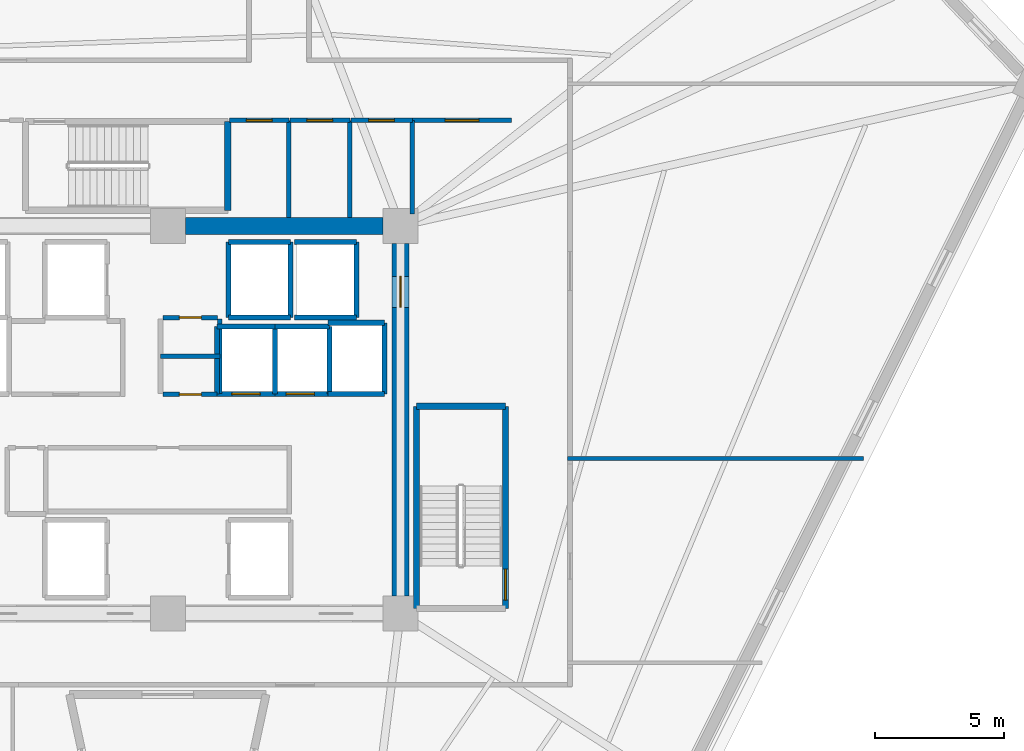
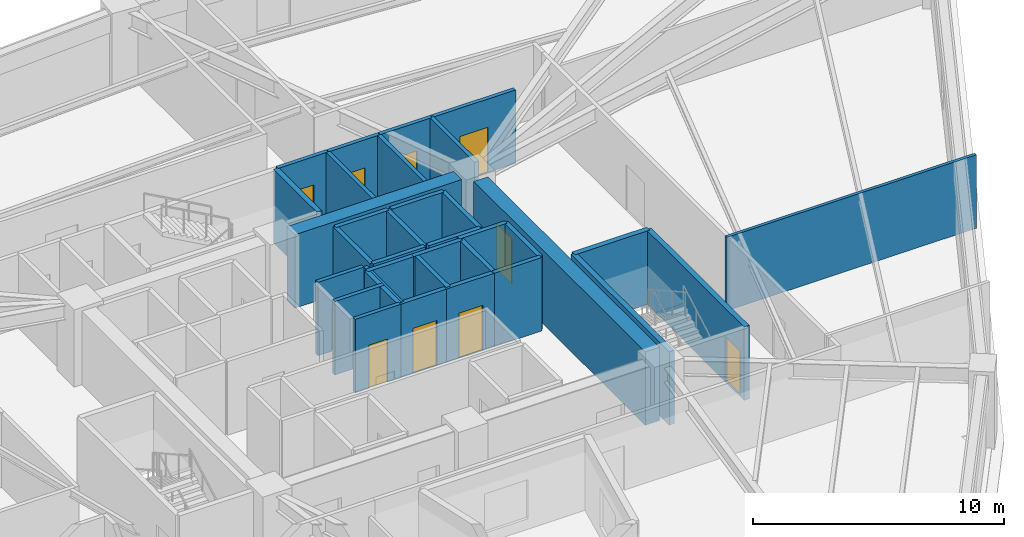
# One storey, part 6 of 10: 35 walls, 10 doors, 10 openings.
"""IFC4 building model written with IfcOpenShell, lengths in metres."""

from ifc_helpers import new_model, si_unit, direction, frame, frame_2d, origin, place, context, subcontext, project, spatial, rectangle, extrude, source, transform, mapped, material, layer, layer_set, type_object, element, fill, save


model = new_model("IFC4")

# Units and contexts
model_context = context("Model", 3, precision=1e-05, world=origin(), true_north=direction((0.0, 1.0)))
body_context = subcontext(model_context, "Body", "Model", "MODEL_VIEW")
ifc_project = project(units=[si_unit("LENGTHUNIT", "METRE"), si_unit("AREAUNIT", "SQUARE_METRE"), si_unit("VOLUMEUNIT", "CUBIC_METRE"), si_unit("PLANEANGLEUNIT", "RADIAN"), si_unit("MASSUNIT", "GRAM", prefix="KILO")], contexts=[model_context])

# Site, building, storey
site_placement = place(None, origin())
site = spatial("IfcSite", under=ifc_project, at=site_placement, CompositionType="ELEMENT")
building_placement = place(site_placement, origin())
building = spatial("IfcBuilding", under=site, at=building_placement, Name="Liaohun Quay Tower", CompositionType="ELEMENT")
storey_placement = place(building_placement, frame((0.0, 0.0, 216.75)))
storey = spatial("IfcBuildingStorey", under=building, at=storey_placement, Name="L56", CompositionType="ELEMENT", Elevation=216.75)

# Wall
ifc_material_1 = material(Name="Concrete C55", Category="concrete")
ifc_layer_1 = layer(ifc_material_1, 0.64990234375, Name="Concrete C55", Category="concrete")
ifc_layer_set_1 = layer_set([ifc_layer_1], Name="Concrete C55")
wall_type_1 = type_object("IfcWallType", Name="WAL-COR-Z3", PredefinedType="SHEAR", material=ifc_layer_set_1)
wall_1_placement = place(storey_placement, frame((60.675048828125, 61.5, 0.0), z_axis=(0.0, 0.0, 1.0), x_axis=(1.0, 0.0, 0.0)))
element("IfcWall", 1, at=wall_1_placement, inside=storey, type_object=wall_type_1, Name="L56 Central Core Shear Wall N-E", PredefinedType="SHEAR", context=body_context, shape_type="SweptSolid", body=[
    extrude(rectangle(XDim=7.64990234375, YDim=0.64990234375, at=frame_2d((3.824951171875, 0.0))), origin(), (0.0, 0.0, 1.0), 3.570068359375),
])

# Wall, opening, door
wall_2_placement = place(storey_placement, frame((69.0, 60.824951171875, 0.0), z_axis=(0.0, 0.0, 1.0), x_axis=(0.0, -1.0, 0.0)))
wall_2 = element("IfcWall", 2, at=wall_2_placement, inside=storey, type_object=wall_type_1, Name="L56 Central Core Shear Wall E", PredefinedType="SHEAR", context=body_context, shape_type="SweptSolid", body=[
    extrude(rectangle(XDim=13.64990234375, YDim=0.64990234375, at=frame_2d((6.824951171875, 0.0))), origin(), (0.0, 0.0, 1.0), 3.570068359375),
])
shared_shape_1 = source(origin(), body_context, "Body", "SweptSolid", [
    extrude(rectangle(XDim=1.199951171875, YDim=2.199951171875, at=frame_2d((0.60009765625, 1.10009765625))), frame((0.0, 0.3349609375, 0.0), z_axis=(0.0, -1.0, 0.0), x_axis=(1.0, 0.0, 0.0)), (0.0, 0.0, 1.0), 0.669921875),
])
opening_1_placement = place(wall_2_placement, frame((1.27490234375, 0.0, 0.0)))
opening_1 = element("IfcOpeningElement", 3, at=opening_1_placement, cuts=wall_2, Name="Opening SD1", PredefinedType="OPENING", context=body_context, shape_type="MappedRepresentation", body=[
    mapped(shared_shape_1, transform((0.0, 0.0, 0.0), x_axis=(1.0, 0.0, 0.0), y_axis=(0.0, 1.0, 0.0), z_axis=(0.0, 0.0, 1.0), scale=1.0)),
])
ifc_material_2 = material(Name="Galvanised steel fire door", Category="steel")
door_type_1 = type_object("IfcDoorType", Name="DOR-STR-1200", OperationType="NOTDEFINED", PredefinedType="DOOR", material=ifc_material_2)
shared_shape_2 = source(origin(), body_context, "Body", "SweptSolid", [
    extrude(rectangle(XDim=1.199951171875, YDim=2.199951171875, at=frame_2d((0.60009765625, 1.10009765625))), frame((0.0, 0.02490234375, 0.0), z_axis=(0.0, -1.0, 0.0), x_axis=(1.0, 0.0, 0.0)), (0.0, 0.0, 1.0), 0.050048828125),
])
door_1_placement = place(opening_1_placement, origin())
door_1 = element("IfcDoor", 4, at=door_1_placement, inside=storey, type_object=door_type_1, Name="L56 North-East Core Lobby Smokeproof Door", OperationType="SINGLE_SWING_LEFT", OverallHeight=2.199951171875, OverallWidth=1.199951171875, PredefinedType="DOOR", context=body_context, shape_type="MappedRepresentation", body=[
    mapped(shared_shape_2, transform((0.0, 0.0, 0.0), x_axis=(1.0, 0.0, 0.0), y_axis=(0.0, 1.0, 0.0), z_axis=(0.0, 0.0, 1.0), scale=1.0)),
])
fill(opening_1, door_1)

ifc_material_3 = material(Name="Autoclaved aerated concrete blockwork", Category="masonry")
ifc_layer_2 = layer(ifc_material_3, 0.179931640625, Name="Autoclaved aerated concrete blockwork", Category="masonry")
ifc_layer_set_2 = layer_set([ifc_layer_2], Name="Autoclaved aerated concrete blockwork")
wall_type_2 = type_object("IfcWallType", Name="WAL-PRT-COR", PredefinedType="PARTITIONING", material=ifc_layer_set_2)
wall_3_placement = place(storey_placement, frame((59.81005859375, 54.97998046875, 0.0), z_axis=(0.0, 0.0, 1.0), x_axis=(1.0, 0.0, 0.0)))
wall_3 = element("IfcWall", 5, at=wall_3_placement, inside=storey, type_object=wall_type_2, Name="L56 Interior Partition Wall 003", PredefinedType="PARTITIONING", context=body_context, shape_type="SweptSolid", body=[
    extrude(rectangle(XDim=2.08984375, YDim=0.179931640625, at=frame_2d((1.044921875, 0.0))), origin(), (0.0, 0.0, 1.0), 3.570068359375),
])
shared_shape_3 = source(origin(), body_context, "Body", "SweptSolid", [
    extrude(rectangle(XDim=0.85009765625, YDim=2.10009765625, at=frame_2d((0.425048828125, 1.050048828125))), frame((0.0, 0.099853515625, 0.0), z_axis=(0.0, -1.0, 0.0), x_axis=(1.0, 0.0, 0.0)), (0.0, 0.0, 1.0), 0.199951171875),
])
opening_2_placement = place(wall_3_placement, frame((0.635009765625, 0.0, 0.0)))
opening_2 = element("IfcOpeningElement", 6, at=opening_2_placement, cuts=wall_3, Name="Opening AD1", PredefinedType="OPENING", context=body_context, shape_type="MappedRepresentation", body=[
    mapped(shared_shape_3, transform((0.0, 0.0, 0.0), x_axis=(1.0, 0.0, 0.0), y_axis=(0.0, 1.0, 0.0), z_axis=(0.0, 0.0, 1.0), scale=1.0)),
])
ifc_material_4 = material(Name="Steel riser inspection fire door", Category="steel")
door_type_2 = type_object("IfcDoorType", Name="DOR-SHF-850", OperationType="NOTDEFINED", PredefinedType="DOOR", material=ifc_material_4)
shared_shape_4 = source(origin(), body_context, "Body", "SweptSolid", [
    extrude(rectangle(XDim=0.85009765625, YDim=2.10009765625, at=frame_2d((0.425048828125, 1.050048828125))), frame((0.0, 0.02490234375, 0.0), z_axis=(0.0, -1.0, 0.0), x_axis=(1.0, 0.0, 0.0)), (0.0, 0.0, 1.0), 0.050048828125),
])
door_2_placement = place(opening_2_placement, origin())
door_2 = element("IfcDoor", 7, at=door_2_placement, inside=storey, type_object=door_type_2, Name="L56 Electrical Riser Room Door", OperationType="SINGLE_SWING_LEFT", OverallHeight=2.10009765625, OverallWidth=0.85009765625, PredefinedType="DOOR", context=body_context, shape_type="MappedRepresentation", body=[
    mapped(shared_shape_4, transform((0.0, 0.0, 0.0), x_axis=(1.0, 0.0, 0.0), y_axis=(0.0, 1.0, 0.0), z_axis=(0.0, 0.0, 1.0), scale=1.0)),
])
fill(opening_2, door_2)

wall_4_placement = place(storey_placement, frame((59.81005859375, 57.949951171875, 0.0), z_axis=(0.0, 0.0, 1.0), x_axis=(1.0, 0.0, 0.0)))
wall_4 = element("IfcWall", 8, at=wall_4_placement, inside=storey, type_object=wall_type_2, Name="L56 Interior Partition Wall 004", PredefinedType="PARTITIONING", context=body_context, shape_type="SweptSolid", body=[
    extrude(rectangle(XDim=2.10986328125, YDim=0.179931640625, at=frame_2d((1.054931640625, 0.0))), origin(), (0.0, 0.0, 1.0), 3.570068359375),
])
opening_3_placement = place(wall_4_placement, frame((0.635009765625, 0.0, 0.0)))
opening_3 = element("IfcOpeningElement", 9, at=opening_3_placement, cuts=wall_4, Name="Opening AD1", PredefinedType="OPENING", context=body_context, shape_type="MappedRepresentation", body=[
    mapped(shared_shape_3, transform((0.0, 0.0, 0.0), x_axis=(1.0, 0.0, 0.0), y_axis=(0.0, 1.0, 0.0), z_axis=(0.0, 0.0, 1.0), scale=1.0)),
])
door_3_placement = place(opening_3_placement, origin())
door_3 = element("IfcDoor", 10, at=door_3_placement, inside=storey, type_object=door_type_2, Name="L56 Telecom Comms Closet Door", OperationType="SINGLE_SWING_RIGHT", OverallHeight=2.10009765625, OverallWidth=0.85009765625, PredefinedType="DOOR", context=body_context, shape_type="MappedRepresentation", body=[
    mapped(shared_shape_4, transform((0.0, 0.0, 0.0), x_axis=(1.0, 0.0, 0.0), y_axis=(0.0, 1.0, 0.0), z_axis=(0.0, 0.0, 1.0), scale=1.0)),
])
fill(opening_3, door_3)

wall_5_placement = place(storey_placement, frame((62.389892578125, 65.580078125, 0.0), z_axis=(0.0, 0.0, 1.0), x_axis=(1.0, 0.0, 0.0)))
wall_5 = element("IfcWall", 11, at=wall_5_placement, inside=storey, type_object=wall_type_2, Name="L56 Interior Partition Wall 011", PredefinedType="PARTITIONING", context=body_context, shape_type="SweptSolid", body=[
    extrude(rectangle(XDim=2.2900390625, YDim=0.179931640625, at=frame_2d((1.14501953125, 0.0))), origin(), (0.0, 0.0, 1.0), 3.570068359375),
])
shared_shape_5 = source(origin(), body_context, "Body", "SweptSolid", [
    extrude(rectangle(XDim=1.0, YDim=2.199951171875, at=frame_2d((0.5, 1.10009765625))), frame((0.0, 0.099853515625, 0.0), z_axis=(0.0, -1.0, 0.0), x_axis=(1.0, 0.0, 0.0)), (0.0, 0.0, 1.0), 0.199951171875),
])
opening_4_placement = place(wall_5_placement, frame((0.64501953125, 0.0, 0.0)))
opening_4 = element("IfcOpeningElement", 12, at=opening_4_placement, cuts=wall_5, Name="Opening OD1", PredefinedType="OPENING", context=body_context, shape_type="MappedRepresentation", body=[
    mapped(shared_shape_5, transform((0.0, 0.0, 0.0), x_axis=(1.0, 0.0, 0.0), y_axis=(0.0, 1.0, 0.0), z_axis=(0.0, 0.0, 1.0), scale=1.0)),
])
ifc_material_5 = material(Name="Solid-core oak veneer timber leaf in steel frame", Category="steel")
door_type_3 = type_object("IfcDoorType", Name="DOR-OFF-1000", OperationType="NOTDEFINED", PredefinedType="DOOR", material=ifc_material_5)
shared_shape_6 = source(origin(), body_context, "Body", "SweptSolid", [
    extrude(rectangle(XDim=1.0, YDim=2.199951171875, at=frame_2d((0.5, 1.10009765625))), frame((0.0, 0.02490234375, 0.0), z_axis=(0.0, -1.0, 0.0), x_axis=(1.0, 0.0, 0.0)), (0.0, 0.0, 1.0), 0.050048828125),
])
door_4_placement = place(opening_4_placement, origin())
door_4 = element("IfcDoor", 13, at=door_4_placement, inside=storey, type_object=door_type_3, Name="L56 North-East Mail Store Door", OperationType="SINGLE_SWING_LEFT", OverallHeight=2.199951171875, OverallWidth=1.0, PredefinedType="DOOR", context=body_context, shape_type="MappedRepresentation", body=[
    mapped(shared_shape_6, transform((0.0, 0.0, 0.0), x_axis=(1.0, 0.0, 0.0), y_axis=(0.0, 1.0, 0.0), z_axis=(0.0, 0.0, 1.0), scale=1.0)),
])
fill(opening_4, door_4)

wall_6_placement = place(storey_placement, frame((64.719970703125, 65.580078125, 0.0), z_axis=(0.0, 0.0, 1.0), x_axis=(1.0, 0.0, 0.0)))
wall_6 = element("IfcWall", 14, at=wall_6_placement, inside=storey, type_object=wall_type_2, Name="L56 Interior Partition Wall 012", PredefinedType="PARTITIONING", context=body_context, shape_type="SweptSolid", body=[
    extrude(rectangle(XDim=2.320068359375, YDim=0.179931640625, at=frame_2d((1.16015625, 0.0))), origin(), (0.0, 0.0, 1.0), 3.570068359375),
])
opening_5_placement = place(wall_6_placement, frame((0.659912109375, 0.0, 0.0)))
opening_5 = element("IfcOpeningElement", 15, at=opening_5_placement, cuts=wall_6, Name="Opening OD1", PredefinedType="OPENING", context=body_context, shape_type="MappedRepresentation", body=[
    mapped(shared_shape_5, transform((0.0, 0.0, 0.0), x_axis=(1.0, 0.0, 0.0), y_axis=(0.0, 1.0, 0.0), z_axis=(0.0, 0.0, 1.0), scale=1.0)),
])
door_5_placement = place(opening_5_placement, origin())
door_5 = element("IfcDoor", 16, at=door_5_placement, inside=storey, type_object=door_type_3, Name="L56 North-East Comms Room Door", OperationType="SINGLE_SWING_RIGHT", OverallHeight=2.199951171875, OverallWidth=1.0, PredefinedType="DOOR", context=body_context, shape_type="MappedRepresentation", body=[
    mapped(shared_shape_6, transform((0.0, 0.0, 0.0), x_axis=(1.0, 0.0, 0.0), y_axis=(0.0, 1.0, 0.0), z_axis=(0.0, 0.0, 1.0), scale=1.0)),
])
fill(opening_5, door_5)

wall_7_placement = place(storey_placement, frame((67.080078125, 65.580078125, 0.0), z_axis=(0.0, 0.0, 1.0), x_axis=(1.0, 0.0, 0.0)))
wall_7 = element("IfcWall", 17, at=wall_7_placement, inside=storey, type_object=wall_type_2, Name="L56 Interior Partition Wall 013", PredefinedType="PARTITIONING", context=body_context, shape_type="SweptSolid", body=[
    extrude(rectangle(XDim=2.3798828125, YDim=0.179931640625, at=frame_2d((1.18994140625, 0.0))), origin(), (0.0, 0.0, 1.0), 3.570068359375),
])
opening_6_placement = place(wall_7_placement, frame((0.68994140625, 0.0, 0.0)))
opening_6 = element("IfcOpeningElement", 18, at=opening_6_placement, cuts=wall_7, Name="Opening OD1", PredefinedType="OPENING", context=body_context, shape_type="MappedRepresentation", body=[
    mapped(shared_shape_5, transform((0.0, 0.0, 0.0), x_axis=(1.0, 0.0, 0.0), y_axis=(0.0, 1.0, 0.0), z_axis=(0.0, 0.0, 1.0), scale=1.0)),
])
door_6_placement = place(opening_6_placement, origin())
door_6 = element("IfcDoor", 19, at=door_6_placement, inside=storey, type_object=door_type_3, Name="L56 North-East Cleaner Store Door", OperationType="SINGLE_SWING_LEFT", OverallHeight=2.199951171875, OverallWidth=1.0, PredefinedType="DOOR", context=body_context, shape_type="MappedRepresentation", body=[
    mapped(shared_shape_6, transform((0.0, 0.0, 0.0), x_axis=(1.0, 0.0, 0.0), y_axis=(0.0, 1.0, 0.0), z_axis=(0.0, 0.0, 1.0), scale=1.0)),
])
fill(opening_6, door_6)

wall_8_placement = place(storey_placement, frame((69.4599609375, 65.580078125, 0.0), z_axis=(0.0, 0.0, 1.0), x_axis=(1.0, 0.0, 0.0)))
wall_8 = element("IfcWall", 20, at=wall_8_placement, inside=storey, type_object=wall_type_2, Name="L56 Interior Partition Wall 015", PredefinedType="PARTITIONING", context=body_context, shape_type="SweptSolid", body=[
    extrude(rectangle(XDim=3.840087890625, YDim=0.179931640625, at=frame_2d((1.919921875, 0.0))), origin(), (0.0, 0.0, 1.0), 3.570068359375),
])
shared_shape_7 = source(origin(), body_context, "Body", "SweptSolid", [
    extrude(rectangle(XDim=1.300048828125, YDim=2.199951171875, at=frame_2d((0.64990234375, 1.10009765625))), frame((0.0, 0.099853515625, 0.0), z_axis=(0.0, -1.0, 0.0), x_axis=(1.0, 0.0, 0.0)), (0.0, 0.0, 1.0), 0.199951171875),
])
opening_7_placement = place(wall_8_placement, frame((1.27001953125, 0.0, 0.0)))
opening_7 = element("IfcOpeningElement", 21, at=opening_7_placement, cuts=wall_8, Name="Opening FD1", PredefinedType="OPENING", context=body_context, shape_type="MappedRepresentation", body=[
    mapped(shared_shape_7, transform((0.0, 0.0, 0.0), x_axis=(1.0, 0.0, 0.0), y_axis=(0.0, 1.0, 0.0), z_axis=(0.0, 0.0, 1.0), scale=1.0)),
])
ifc_material_6 = material(Name="Galvanised steel smokeproof fire door", Category="steel")
door_type_4 = type_object("IfcDoorType", Name="DOR-FFL-1300", OperationType="NOTDEFINED", PredefinedType="DOOR", material=ifc_material_6)
shared_shape_8 = source(origin(), body_context, "Body", "SweptSolid", [
    extrude(rectangle(XDim=1.300048828125, YDim=2.199951171875, at=frame_2d((0.64990234375, 1.10009765625))), frame((0.0, 0.02490234375, 0.0), z_axis=(0.0, -1.0, 0.0), x_axis=(1.0, 0.0, 0.0)), (0.0, 0.0, 1.0), 0.050048828125),
])
door_7_placement = place(opening_7_placement, origin())
door_7 = element("IfcDoor", 22, at=door_7_placement, inside=storey, type_object=door_type_4, Name="L56 East Core Vestibule Door", OperationType="SINGLE_SWING_LEFT", OverallHeight=2.199951171875, OverallWidth=1.300048828125, PredefinedType="DOOR", context=body_context, shape_type="MappedRepresentation", body=[
    mapped(shared_shape_8, transform((0.0, 0.0, 0.0), x_axis=(1.0, 0.0, 0.0), y_axis=(0.0, 1.0, 0.0), z_axis=(0.0, 0.0, 1.0), scale=1.0)),
])
fill(opening_7, door_7)

# Walls
wall_9_placement = place(storey_placement, frame((62.010009765625, 55.02001953125, 0.0), z_axis=(0.0, 0.0, 1.0), x_axis=(0.0, 1.0, 0.0)))
element("IfcWall", 23, at=wall_9_placement, inside=storey, type_object=wall_type_2, Name="L56 Interior Partition Wall 025", PredefinedType="PARTITIONING", context=body_context, shape_type="SweptSolid", body=[
    extrude(rectangle(XDim=2.8798828125, YDim=0.179931640625, at=frame_2d((1.43994140625, 0.0))), origin(), (0.0, 0.0, 1.0), 3.570068359375),
])
wall_10_placement = place(storey_placement, frame((59.719970703125, 56.4599609375, 0.0), z_axis=(0.0, 0.0, 1.0), x_axis=(1.0, 0.0, 0.0)))
element("IfcWall", 24, at=wall_10_placement, inside=storey, type_object=wall_type_2, Name="L56 Interior Partition Wall 026", PredefinedType="PARTITIONING", context=body_context, shape_type="SweptSolid", body=[
    extrude(rectangle(XDim=2.2900390625, YDim=0.179931640625, at=frame_2d((1.14501953125, 0.0))), origin(), (0.0, 0.0, 1.0), 3.570068359375),
])
for number, where, z_axis, x_axis, name in (
    (25, (64.679931640625, 61.824951171875, 0.0), (0.0, 0.0, 1.0), (0.0, 1.0, 0.0), "L56 Interior Partition Wall 037"),
    (26, (67.0400390625, 61.824951171875, 0.0), (0.0, 0.0, 1.0), (0.0, 1.0, 0.0), "L56 Interior Partition Wall 038"),
):
    element("IfcWall", number, at=place(storey_placement, frame(where, z_axis=z_axis, x_axis=x_axis)), inside=storey, type_object=wall_type_2, Name=name, PredefinedType="PARTITIONING", context=body_context, shape_type="SweptSolid", body=[
        extrude(rectangle(XDim=3.755126953125, YDim=0.179931640625, at=frame_2d((1.87744140625, 0.0))), origin(), (0.0, 0.0, 1.0), 3.570068359375),
    ])
wall_11_placement = place(storey_placement, frame((69.4599609375, 61.949951171875, 0.0), z_axis=(0.0, 0.0, 1.0), x_axis=(0.0, 1.0, 0.0)))
element("IfcWall", 27, at=wall_11_placement, inside=storey, type_object=wall_type_2, Name="L56 Interior Partition Wall 039", PredefinedType="PARTITIONING", context=body_context, shape_type="SweptSolid", body=[
    extrude(rectangle(XDim=3.630126953125, YDim=0.179931640625, at=frame_2d((1.81494140625, 0.0))), origin(), (0.0, 0.0, 1.0), 3.570068359375),
])
ifc_material_7 = material(Name="Gypsum board on twin steel studs", Category="steel")
ifc_layer_3 = layer(ifc_material_7, 0.139892578125, Name="Gypsum board on twin steel studs", Category="steel")
ifc_layer_set_3 = layer_set([ifc_layer_3], Name="Gypsum board on twin steel studs")
wall_type_3 = type_object("IfcWallType", Name="WAL-PRT-OFF", PredefinedType="PARTITIONING", material=ifc_layer_set_3)
wall_12_placement = place(storey_placement, frame((75.4599609375, 52.5, 0.0), z_axis=(0.0, 0.0, 1.0), x_axis=(1.0, 0.0, 0.0)))
element("IfcWall", 28, at=wall_12_placement, inside=storey, type_object=wall_type_3, Name="L56 Interior Partition Wall 052", PredefinedType="PARTITIONING", context=body_context, shape_type="SweptSolid", body=[
    extrude(rectangle(XDim=11.4521484375, YDim=0.139892578125, at=frame_2d((5.72607421875, 0.0))), origin(), (0.0, 0.0, 1.0), 3.570068359375),
])

# Wall, opening, door
ifc_material_8 = material(Name="Concrete C50", Category="concrete")
ifc_layer_4 = layer(ifc_material_8, 0.239990234375, Name="Concrete C50", Category="concrete")
ifc_layer_set_4 = layer_set([ifc_layer_4], Name="Concrete C50")
wall_type_4 = type_object("IfcWallType", Name="WAL-SHF-200", PredefinedType="SOLIDWALL", material=ifc_layer_set_4)
wall_13_placement = place(storey_placement, frame((73.06005859375, 46.699951171875, 0.0), z_axis=(0.0, 0.0, 1.0), x_axis=(0.0, 1.0, 0.0)))
wall_13 = element("IfcWall", 29, at=wall_13_placement, inside=storey, type_object=wall_type_4, Name="L56 Stairwell ST-2 Structural Core Wall E", PredefinedType="SOLIDWALL", context=body_context, shape_type="SweptSolid", body=[
    extrude(rectangle(XDim=7.820068359375, YDim=0.239990234375, at=frame_2d((3.91015625, 0.0))), origin(), (0.0, 0.0, 1.0), 3.570068359375),
])
shared_shape_9 = source(origin(), body_context, "Body", "SweptSolid", [
    extrude(rectangle(XDim=1.199951171875, YDim=2.199951171875, at=frame_2d((0.60009765625, 1.10009765625))), frame((0.0, 0.1298828125, 0.0), z_axis=(0.0, -1.0, 0.0), x_axis=(1.0, 0.0, 0.0)), (0.0, 0.0, 1.0), 0.260009765625),
])
opening_8_placement = place(wall_13_placement, frame((0.320068359375, 0.0, 0.0)))
opening_8 = element("IfcOpeningElement", 30, at=opening_8_placement, cuts=wall_13, Name="Opening SD1", PredefinedType="OPENING", context=body_context, shape_type="MappedRepresentation", body=[
    mapped(shared_shape_9, transform((0.0, 0.0, 0.0), x_axis=(1.0, 0.0, 0.0), y_axis=(0.0, 1.0, 0.0), z_axis=(0.0, 0.0, 1.0), scale=1.0)),
])
door_8_placement = place(opening_8_placement, origin())
door_8 = element("IfcDoor", 31, at=door_8_placement, inside=storey, type_object=door_type_1, Name="L56 Protected Stair ST-2 Fire Door", OperationType="SINGLE_SWING_RIGHT", OverallHeight=2.199951171875, OverallWidth=1.199951171875, PredefinedType="DOOR", context=body_context, shape_type="MappedRepresentation", body=[
    mapped(shared_shape_2, transform((0.0, 0.0, 0.0), x_axis=(1.0, 0.0, 0.0), y_axis=(0.0, 1.0, 0.0), z_axis=(0.0, 0.0, 1.0), scale=1.0)),
])
fill(opening_8, door_8)

# Walls
wall_14_placement = place(storey_placement, frame((73.06005859375, 54.52001953125, 0.0), z_axis=(0.0, 0.0, 1.0), x_axis=(-1.0, 0.0, 0.0)))
element("IfcWall", 32, at=wall_14_placement, inside=storey, type_object=wall_type_4, Name="L56 Stairwell ST-2 Structural Core Wall N", PredefinedType="SOLIDWALL", context=body_context, shape_type="SweptSolid", body=[
    extrude(rectangle(XDim=3.43994140625, YDim=0.239990234375, at=frame_2d((1.719970703125, 0.0))), origin(), (0.0, 0.0, 1.0), 3.570068359375),
])
wall_15_placement = place(storey_placement, frame((69.6201171875, 54.52001953125, 0.0), z_axis=(0.0, 0.0, 1.0), x_axis=(0.0, -1.0, 0.0)))
element("IfcWall", 33, at=wall_15_placement, inside=storey, type_object=wall_type_4, Name="L56 Stairwell ST-2 Structural Core Wall W", PredefinedType="SOLIDWALL", context=body_context, shape_type="SweptSolid", body=[
    extrude(rectangle(XDim=7.820068359375, YDim=0.239990234375, at=frame_2d((3.91015625, 0.0))), origin(), (0.0, 0.0, 1.0), 3.570068359375),
])
wall_16_placement = place(storey_placement, frame((62.320068359375, 62.10009765625, 0.0), z_axis=(0.0, 0.0, 1.0), x_axis=(0.0, 1.0, 0.0)))
element("IfcWall", 34, at=wall_16_placement, inside=storey, type_object=wall_type_4, Name="L56 Stairwell ST-3 Structural Core Wall E", PredefinedType="SOLIDWALL", context=body_context, shape_type="SweptSolid", body=[
    extrude(rectangle(XDim=3.43994140625, YDim=0.239990234375, at=frame_2d((1.719970703125, 0.0))), origin(), (0.0, 0.0, 1.0), 3.570068359375),
])
wall_17_placement = place(storey_placement, frame((62.35009765625, 57.949951171875, 0.0), z_axis=(0.0, 0.0, 1.0), x_axis=(1.0, 0.0, 0.0)))
element("IfcWall", 35, at=wall_17_placement, inside=storey, type_object=wall_type_4, Name="L56 Lift OB-01 Hoistway Wall S", PredefinedType="SOLIDWALL", context=body_context, shape_type="SweptSolid", body=[
    extrude(rectangle(XDim=2.39990234375, YDim=0.199951171875, at=frame_2d((1.199951171875, 0.0))), origin(), (0.0, 0.0, 1.0), 3.570068359375),
])
wall_18_placement = place(storey_placement, frame((64.75, 57.949951171875, 0.0), z_axis=(0.0, 0.0, 1.0), x_axis=(0.0, 1.0, 0.0)))
element("IfcWall", 36, at=wall_18_placement, inside=storey, type_object=wall_type_4, Name="L56 Lift OB-01 Hoistway Wall E", PredefinedType="SOLIDWALL", context=body_context, shape_type="SweptSolid", body=[
    extrude(rectangle(XDim=2.929931640625, YDim=0.199951171875, at=frame_2d((1.46484375, 0.0))), origin(), (0.0, 0.0, 1.0), 3.570068359375),
])
wall_19_placement = place(storey_placement, frame((64.75, 60.8798828125, 0.0), z_axis=(0.0, 0.0, 1.0), x_axis=(-1.0, 0.0, 0.0)))
element("IfcWall", 37, at=wall_19_placement, inside=storey, type_object=wall_type_4, Name="L56 Lift OB-01 Hoistway Wall N", PredefinedType="SOLIDWALL", context=body_context, shape_type="SweptSolid", body=[
    extrude(rectangle(XDim=2.39990234375, YDim=0.199951171875, at=frame_2d((1.199951171875, 0.0))), origin(), (0.0, 0.0, 1.0), 3.570068359375),
])
wall_20_placement = place(storey_placement, frame((62.35009765625, 60.8798828125, 0.0), z_axis=(0.0, 0.0, 1.0), x_axis=(0.0, -1.0, 0.0)))
element("IfcWall", 38, at=wall_20_placement, inside=storey, type_object=wall_type_4, Name="L56 Lift OB-01 Hoistway Wall W", PredefinedType="SOLIDWALL", context=body_context, shape_type="SweptSolid", body=[
    extrude(rectangle(XDim=2.929931640625, YDim=0.199951171875, at=frame_2d((1.46484375, 0.0))), origin(), (0.0, 0.0, 1.0), 3.570068359375),
])
wall_21_placement = place(storey_placement, frame((64.89990234375, 57.949951171875, 0.0), z_axis=(0.0, 0.0, 1.0), x_axis=(1.0, 0.0, 0.0)))
element("IfcWall", 39, at=wall_21_placement, inside=storey, type_object=wall_type_4, Name="L56 Lift OB-02 Hoistway Wall S", PredefinedType="SOLIDWALL", context=body_context, shape_type="SweptSolid", body=[
    extrude(rectangle(XDim=2.400146484375, YDim=0.199951171875, at=frame_2d((1.2001953125, 0.0))), origin(), (0.0, 0.0, 1.0), 3.570068359375),
])
wall_22_placement = place(storey_placement, frame((67.300048828125, 57.949951171875, 0.0), z_axis=(0.0, 0.0, 1.0), x_axis=(0.0, 1.0, 0.0)))
element("IfcWall", 40, at=wall_22_placement, inside=storey, type_object=wall_type_4, Name="L56 Lift OB-02 Hoistway Wall E", PredefinedType="SOLIDWALL", context=body_context, shape_type="SweptSolid", body=[
    extrude(rectangle(XDim=2.929931640625, YDim=0.199951171875, at=frame_2d((1.46484375, 0.0))), origin(), (0.0, 0.0, 1.0), 3.570068359375),
])
wall_23_placement = place(storey_placement, frame((67.300048828125, 60.8798828125, 0.0), z_axis=(0.0, 0.0, 1.0), x_axis=(-1.0, 0.0, 0.0)))
element("IfcWall", 41, at=wall_23_placement, inside=storey, type_object=wall_type_4, Name="L56 Lift OB-02 Hoistway Wall N", PredefinedType="SOLIDWALL", context=body_context, shape_type="SweptSolid", body=[
    extrude(rectangle(XDim=2.400146484375, YDim=0.199951171875, at=frame_2d((1.2001953125, 0.0))), origin(), (0.0, 0.0, 1.0), 3.570068359375),
])
wall_24_placement = place(storey_placement, frame((66.199951171875, 55.0, 0.0), z_axis=(0.0, 0.0, 1.0), x_axis=(1.0, 0.0, 0.0)))
element("IfcWall", 42, at=wall_24_placement, inside=storey, type_object=wall_type_4, Name="L56 Lift SH-03 Hoistway Wall S", PredefinedType="SOLIDWALL", context=body_context, shape_type="SweptSolid", body=[
    extrude(rectangle(XDim=2.179931640625, YDim=0.199951171875, at=frame_2d((1.08984375, 0.0))), origin(), (0.0, 0.0, 1.0), 3.570068359375),
])
wall_25_placement = place(storey_placement, frame((68.3798828125, 55.0, 0.0), z_axis=(0.0, 0.0, 1.0), x_axis=(0.0, 1.0, 0.0)))
element("IfcWall", 43, at=wall_25_placement, inside=storey, type_object=wall_type_4, Name="L56 Lift SH-03 Hoistway Wall E", PredefinedType="SOLIDWALL", context=body_context, shape_type="SweptSolid", body=[
    extrude(rectangle(XDim=2.75, YDim=0.199951171875, at=frame_2d((1.375, 0.0))), origin(), (0.0, 0.0, 1.0), 3.570068359375),
])
wall_26_placement = place(storey_placement, frame((68.3798828125, 57.75, 0.0), z_axis=(0.0, 0.0, 1.0), x_axis=(-1.0, 0.0, 0.0)))
element("IfcWall", 44, at=wall_26_placement, inside=storey, type_object=wall_type_4, Name="L56 Lift SH-03 Hoistway Wall N", PredefinedType="SOLIDWALL", context=body_context, shape_type="SweptSolid", body=[
    extrude(rectangle(XDim=2.179931640625, YDim=0.199951171875, at=frame_2d((1.08984375, 0.0))), origin(), (0.0, 0.0, 1.0), 3.570068359375),
])

# Wall, opening, door
wall_27_placement = place(storey_placement, frame((61.89990234375, 55.0, 0.0), z_axis=(0.0, 0.0, 1.0), x_axis=(1.0, 0.0, 0.0)))
wall_27 = element("IfcWall", 45, at=wall_27_placement, inside=storey, type_object=wall_type_4, Name="L56 Lift PL-3A Hoistway Wall S", PredefinedType="SOLIDWALL", context=body_context, shape_type="SweptSolid", body=[
    extrude(rectangle(XDim=2.25, YDim=0.199951171875, at=frame_2d((1.125, 0.0))), origin(), (0.0, 0.0, 1.0), 3.570068359375),
])
shared_shape_10 = source(origin(), body_context, "Body", "SweptSolid", [
    extrude(rectangle(XDim=1.10009765625, YDim=2.199951171875, at=frame_2d((0.550048828125, 1.10009765625))), frame((0.0, 0.10986328125, 0.0), z_axis=(0.0, -1.0, 0.0), x_axis=(1.0, 0.0, 0.0)), (0.0, 0.0, 1.0), 0.219970703125),
])
opening_9_placement = place(wall_27_placement, frame((0.574951171875, 0.0, 0.0)))
opening_9 = element("IfcOpeningElement", 46, at=opening_9_placement, cuts=wall_27, Name="Opening LD1", PredefinedType="OPENING", context=body_context, shape_type="MappedRepresentation", body=[
    mapped(shared_shape_10, transform((0.0, 0.0, 0.0), x_axis=(1.0, 0.0, 0.0), y_axis=(0.0, 1.0, 0.0), z_axis=(0.0, 0.0, 1.0), scale=1.0)),
])
ifc_material_9 = material(Name="Brushed stainless steel landing door", Category="steel")
door_type_5 = type_object("IfcDoorType", Name="DOR-LFT-1100", OperationType="SLIDING_TO_LEFT", PredefinedType="DOOR", material=ifc_material_9)
shared_shape_11 = source(origin(), body_context, "Body", "SweptSolid", [
    extrude(rectangle(XDim=1.10009765625, YDim=2.199951171875, at=frame_2d((0.550048828125, 1.10009765625))), frame((0.0, 0.02490234375, 0.0), z_axis=(0.0, -1.0, 0.0), x_axis=(1.0, 0.0, 0.0)), (0.0, 0.0, 1.0), 0.050048828125),
])
door_9_placement = place(opening_9_placement, origin())
door_9 = element("IfcDoor", 47, at=door_9_placement, inside=storey, type_object=door_type_5, Name="L56 Lift PL-3A Sliding Landing Door", OperationType="SLIDING_TO_LEFT", OverallHeight=2.199951171875, OverallWidth=1.10009765625, PredefinedType="DOOR", context=body_context, shape_type="MappedRepresentation", body=[
    mapped(shared_shape_11, transform((0.0, 0.0, 0.0), x_axis=(1.0, 0.0, 0.0), y_axis=(0.0, 1.0, 0.0), z_axis=(0.0, 0.0, 1.0), scale=1.0)),
])
fill(opening_9, door_9)

# Walls
wall_28_placement = place(storey_placement, frame((64.14990234375, 55.0, 0.0), z_axis=(0.0, 0.0, 1.0), x_axis=(0.0, 1.0, 0.0)))
element("IfcWall", 48, at=wall_28_placement, inside=storey, type_object=wall_type_4, Name="L56 Lift PL-3A Hoistway Wall E", PredefinedType="SOLIDWALL", context=body_context, shape_type="SweptSolid", body=[
    extrude(rectangle(XDim=2.60009765625, YDim=0.199951171875, at=frame_2d((1.300048828125, 0.0))), origin(), (0.0, 0.0, 1.0), 3.570068359375),
])
wall_29_placement = place(storey_placement, frame((64.14990234375, 57.60009765625, 0.0), z_axis=(0.0, 0.0, 1.0), x_axis=(-1.0, 0.0, 0.0)))
element("IfcWall", 49, at=wall_29_placement, inside=storey, type_object=wall_type_4, Name="L56 Lift PL-3A Hoistway Wall N", PredefinedType="SOLIDWALL", context=body_context, shape_type="SweptSolid", body=[
    extrude(rectangle(XDim=2.25, YDim=0.199951171875, at=frame_2d((1.125, 0.0))), origin(), (0.0, 0.0, 1.0), 3.570068359375),
])
wall_30_placement = place(storey_placement, frame((61.89990234375, 57.60009765625, 0.0), z_axis=(0.0, 0.0, 1.0), x_axis=(0.0, -1.0, 0.0)))
element("IfcWall", 50, at=wall_30_placement, inside=storey, type_object=wall_type_4, Name="L56 Lift PL-3A Hoistway Wall W", PredefinedType="SOLIDWALL", context=body_context, shape_type="SweptSolid", body=[
    extrude(rectangle(XDim=2.60009765625, YDim=0.199951171875, at=frame_2d((1.300048828125, 0.0))), origin(), (0.0, 0.0, 1.0), 3.570068359375),
])

# Wall, opening, door
wall_31_placement = place(storey_placement, frame((64.0, 55.0, 0.0), z_axis=(0.0, 0.0, 1.0), x_axis=(1.0, 0.0, 0.0)))
wall_31 = element("IfcWall", 51, at=wall_31_placement, inside=storey, type_object=wall_type_4, Name="L56 Lift PL-3B Hoistway Wall S", PredefinedType="SOLIDWALL", context=body_context, shape_type="SweptSolid", body=[
    extrude(rectangle(XDim=2.25, YDim=0.199951171875, at=frame_2d((1.125, 0.0))), origin(), (0.0, 0.0, 1.0), 3.570068359375),
])
opening_10_placement = place(wall_31_placement, frame((0.574951171875, 0.0, 0.0)))
opening_10 = element("IfcOpeningElement", 52, at=opening_10_placement, cuts=wall_31, Name="Opening LD1", PredefinedType="OPENING", context=body_context, shape_type="MappedRepresentation", body=[
    mapped(shared_shape_10, transform((0.0, 0.0, 0.0), x_axis=(1.0, 0.0, 0.0), y_axis=(0.0, 1.0, 0.0), z_axis=(0.0, 0.0, 1.0), scale=1.0)),
])
door_10_placement = place(opening_10_placement, origin())
door_10 = element("IfcDoor", 53, at=door_10_placement, inside=storey, type_object=door_type_5, Name="L56 Lift PL-3B Sliding Landing Door", OperationType="SLIDING_TO_LEFT", OverallHeight=2.199951171875, OverallWidth=1.10009765625, PredefinedType="DOOR", context=body_context, shape_type="MappedRepresentation", body=[
    mapped(shared_shape_11, transform((0.0, 0.0, 0.0), x_axis=(1.0, 0.0, 0.0), y_axis=(0.0, 1.0, 0.0), z_axis=(0.0, 0.0, 1.0), scale=1.0)),
])
fill(opening_10, door_10)

# Walls
wall_32_placement = place(storey_placement, frame((66.25, 55.0, 0.0), z_axis=(0.0, 0.0, 1.0), x_axis=(0.0, 1.0, 0.0)))
element("IfcWall", 54, at=wall_32_placement, inside=storey, type_object=wall_type_4, Name="L56 Lift PL-3B Hoistway Wall E", PredefinedType="SOLIDWALL", context=body_context, shape_type="SweptSolid", body=[
    extrude(rectangle(XDim=2.60009765625, YDim=0.199951171875, at=frame_2d((1.300048828125, 0.0))), origin(), (0.0, 0.0, 1.0), 3.570068359375),
])
wall_33_placement = place(storey_placement, frame((66.25, 57.60009765625, 0.0), z_axis=(0.0, 0.0, 1.0), x_axis=(-1.0, 0.0, 0.0)))
element("IfcWall", 55, at=wall_33_placement, inside=storey, type_object=wall_type_4, Name="L56 Lift PL-3B Hoistway Wall N", PredefinedType="SOLIDWALL", context=body_context, shape_type="SweptSolid", body=[
    extrude(rectangle(XDim=2.25, YDim=0.199951171875, at=frame_2d((1.125, 0.0))), origin(), (0.0, 0.0, 1.0), 3.570068359375),
])

save(model, "model.ifc")
